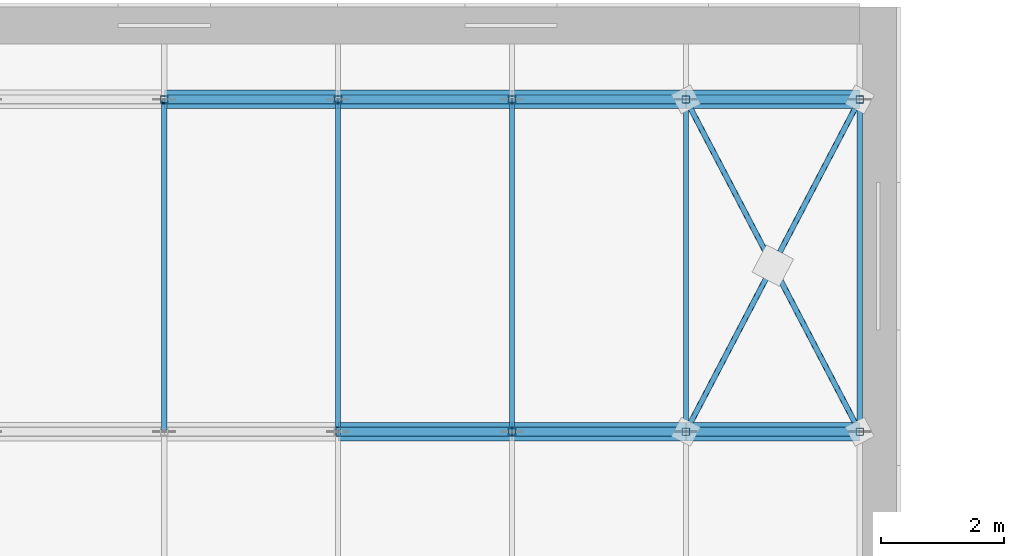
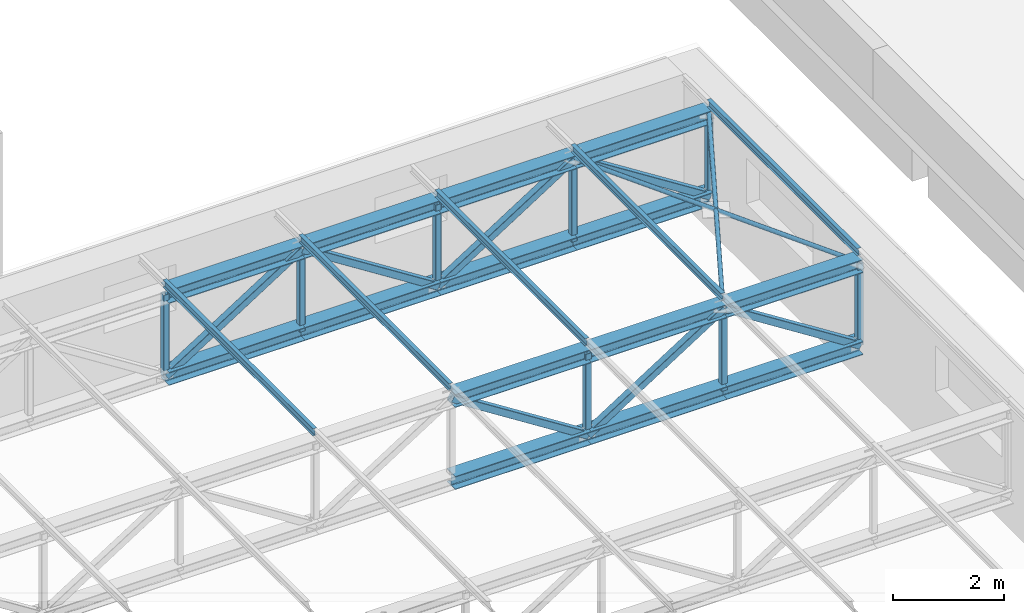
# One storey, part 43 of 132: 37 members.
"""IFC4 building model written with IfcOpenShell, lengths in metres."""

from ifc_helpers import new_model, si_unit, direction, frame, origin, origin_2d, place, context, subcontext, project, spatial, hollow_rectangle, hollow_circle, i_section, extrude, material, material_profile, profile_set, type_object, element, save


model = new_model("IFC4")

# Units and contexts
model_context = context("Model", 3, precision=1e-05, world=origin(), true_north=direction((0.0, 1.0)))
body_context = subcontext(model_context, "Body", "Model", "MODEL_VIEW")
ifc_project = project(units=[si_unit("LENGTHUNIT", "METRE"), si_unit("AREAUNIT", "SQUARE_METRE"), si_unit("VOLUMEUNIT", "CUBIC_METRE"), si_unit("PLANEANGLEUNIT", "RADIAN"), si_unit("MASSUNIT", "GRAM", prefix="KILO")], contexts=[model_context])

# Site, building, storey
site_placement = place(None, origin())
site = spatial("IfcSite", under=ifc_project, at=site_placement, CompositionType="ELEMENT")
building_placement = place(site_placement, origin())
building = spatial("IfcBuilding", under=site, at=building_placement, Name="Lunette Opera House", CompositionType="ELEMENT")
storey_placement = place(building_placement, frame((0.0, 0.0, 17.0)))
storey = spatial("IfcBuildingStorey", under=building, at=storey_placement, Name="L03", CompositionType="ELEMENT", Elevation=17.0)

# Members
ifc_material_1 = material(Name="Steel S355", Category="steel")
ifc_material_profile_1 = material_profile(ifc_material_1, hollow_circle(Radius=0.04443359375, WallThickness=0.00390625, at=origin_2d()), Name="CHS 88.9X4")
ifc_profile_set_1 = profile_set([ifc_material_profile_1], Name="Steel S355")
member_type_1 = type_object("IfcMemberType", Name="BRACING CHS 88.9X4", PredefinedType="BRACE", material=ifc_profile_set_1)
member_1_placement = place(storey_placement, frame((128.574951171875, 113.39990234375, 2.574951171875), z_axis=(0.463530915667, 0.886080747009, 0.0), x_axis=(-0.886080747009, 0.463530915667, 0.0)))
element("IfcMember", 1, at=member_1_placement, inside=storey, type_object=member_type_1, Name="mem-ST-L03-SE-TR-BRQ4P8A", PredefinedType="BRACE", context=body_context, shape_type="SweptSolid", body=[
    extrude(hollow_circle(Radius=0.04443359375, WallThickness=0.00390625, at=origin_2d()), origin(), (0.0, 0.0, 1.0), 6.094482421875),
])
member_2_placement = place(storey_placement, frame((131.39990234375, 113.39990234375, 2.574951171875), z_axis=(-0.463357181016, 0.886171610243, 0.0), x_axis=(-0.886171610243, -0.463357181016, 0.0)))
element("IfcMember", 2, at=member_2_placement, inside=storey, type_object=member_type_1, Name="mem-ST-L03-SE-TR-BRQ4P8B segment 1", PredefinedType="BRACE", context=body_context, shape_type="SweptSolid", body=[
    extrude(hollow_circle(Radius=0.04443359375, WallThickness=0.00390625, at=origin_2d()), origin(), (0.0, 0.0, 1.0), 3.047119140625),
])
member_3_placement = place(storey_placement, frame((129.988037109375, 116.10009765625, 2.574951171875), z_axis=(-0.463704612578, 0.885989860142, 0.0), x_axis=(-0.885989860142, -0.463704612578, 0.0)))
element("IfcMember", 3, at=member_3_placement, inside=storey, type_object=member_type_1, Name="mem-ST-L03-SE-TR-BRQ4P8B segment 2", PredefinedType="BRACE", context=body_context, shape_type="SweptSolid", body=[
    extrude(hollow_circle(Radius=0.04443359375, WallThickness=0.00390625, at=origin_2d()), origin(), (0.0, 0.0, 1.0), 3.04736328125),
])
ifc_material_2 = material(Name="Steel S355", Category="steel")
ifc_material_profile_2 = material_profile(ifc_material_2, i_section(OverallWidth=0.300048828125, OverallDepth=0.2900390625, WebThickness=0.008544921875, FlangeThickness=0.013916015625, FilletRadius=0.027099609375, at=origin_2d()), Name="HEA 300")
ifc_profile_set_2 = profile_set([ifc_material_profile_2], Name="Steel S355")
member_type_2 = type_object("IfcMemberType", Name="CHORD HEA 300", PredefinedType="CHORD", material=ifc_profile_set_2)
for number, where, z_axis, x_axis, name in (
    (4, (122.925048828125, 113.39990234375, 2.574951171875), (1.0, 0.0, 0.0), (0.0, 1.0, 0.0), "mem-ST-L03-SE-TR04-TC6"),
    (5, (122.925048828125, 113.39990234375, 0.77490234375), (1.0, 0.0, 0.0), (0.0, 1.0, 0.0), "mem-ST-L03-SE-TR04-BC6"),
    (6, (125.75, 113.39990234375, 2.574951171875), (1.0, 0.0, 0.0), (0.0, 1.0, 0.0), "mem-ST-L03-SE-TR04-TC7"),
    (7, (125.75, 113.39990234375, 0.77490234375), (1.0, 0.0, 0.0), (0.0, 1.0, 0.0), "mem-ST-L03-SE-TR04-BC7"),
    (8, (128.574951171875, 113.39990234375, 2.574951171875), (1.0, 0.0, 0.0), (0.0, 1.0, 0.0), "mem-ST-L03-SE-TR04-TC8"),
    (9, (128.574951171875, 113.39990234375, 0.77490234375), (1.0, 0.0, 0.0), (0.0, 1.0, 0.0), "mem-ST-L03-SE-TR04-BC8"),
    (10, (120.10009765625, 118.800048828125, 2.574951171875), (1.0, 0.0, 0.0), (0.0, 1.0, 0.0), "mem-ST-L03-SE-TR05-TC5"),
    (11, (120.10009765625, 118.800048828125, 0.77490234375), (1.0, 0.0, 0.0), (0.0, 1.0, 0.0), "mem-ST-L03-SE-TR05-BC5"),
    (12, (122.925048828125, 118.800048828125, 2.574951171875), (1.0, 0.0, 0.0), (0.0, 1.0, 0.0), "mem-ST-L03-SE-TR05-TC6"),
    (13, (122.925048828125, 118.800048828125, 0.77490234375), (1.0, 0.0, 0.0), (0.0, 1.0, 0.0), "mem-ST-L03-SE-TR05-BC6"),
    (14, (125.75, 118.800048828125, 2.574951171875), (1.0, 0.0, 0.0), (0.0, 1.0, 0.0), "mem-ST-L03-SE-TR05-TC7"),
    (15, (125.75, 118.800048828125, 0.77490234375), (1.0, 0.0, 0.0), (0.0, 1.0, 0.0), "mem-ST-L03-SE-TR05-BC7"),
    (16, (128.574951171875, 118.800048828125, 2.574951171875), (1.0, 0.0, 0.0), (0.0, 1.0, 0.0), "mem-ST-L03-SE-TR05-TC8"),
    (17, (128.574951171875, 118.800048828125, 0.77490234375), (1.0, 0.0, 0.0), (0.0, 1.0, 0.0), "mem-ST-L03-SE-TR05-BC8"),
):
    element("IfcMember", number, at=place(storey_placement, frame(where, z_axis=z_axis, x_axis=x_axis)), inside=storey, type_object=member_type_2, Name=name, PredefinedType="CHORD", context=body_context, shape_type="SweptSolid", body=[
        extrude(i_section(OverallWidth=0.300048828125, OverallDepth=0.2900390625, WebThickness=0.008544921875, FlangeThickness=0.013916015625, FilletRadius=0.027099609375, at=origin_2d()), origin(), (0.0, 0.0, 1.0), 2.824951171875),
    ])
ifc_material_3 = material(Name="Steel S355", Category="steel")
ifc_material_profile_3 = material_profile(ifc_material_3, hollow_rectangle(XDim=0.14990234375, YDim=0.14990234375, WallThickness=0.006103515625, InnerFilletRadius=0.006103515625, OuterFilletRadius=0.011962890625, at=origin_2d()), Name="RHS 150X150X6")
ifc_profile_set_3 = profile_set([ifc_material_profile_3], Name="Steel S355")
member_type_3 = type_object("IfcMemberType", Name="DIAGONAL RHS 150X150X6", PredefinedType="BRACE", material=ifc_profile_set_3)
for number, where, z_axis, x_axis, name in (
    (18, (122.925048828125, 113.39990234375, 2.574951171875), (0.843343221477, 0.0, -0.537375297896), (0.0, 1.0, 0.0), "mem-ST-L03-SE-TR04-TD6"),
    (19, (125.75, 113.39990234375, 0.77490234375), (0.843343221477, 0.0, 0.537375297896), (0.0, 1.0, 0.0), "mem-ST-L03-SE-TR04-TD7"),
    (20, (128.574951171875, 113.39990234375, 2.574951171875), (0.843343221477, 0.0, -0.537375297896), (0.0, 1.0, 0.0), "mem-ST-L03-SE-TR04-TD8"),
    (21, (120.10009765625, 118.800048828125, 0.77490234375), (0.843343221477, 0.0, 0.537375297896), (0.0, 1.0, 0.0), "mem-ST-L03-SE-TR05-TD5"),
    (22, (122.925048828125, 118.800048828125, 2.574951171875), (0.843343221477, 0.0, -0.537375297896), (0.0, 1.0, 0.0), "mem-ST-L03-SE-TR05-TD6"),
    (23, (125.75, 118.800048828125, 0.77490234375), (0.843343221477, 0.0, 0.537375297896), (0.0, 1.0, 0.0), "mem-ST-L03-SE-TR05-TD7"),
    (24, (128.574951171875, 118.800048828125, 2.574951171875), (0.843343221477, 0.0, -0.537375297896), (0.0, 1.0, 0.0), "mem-ST-L03-SE-TR05-TD8"),
):
    element("IfcMember", number, at=place(storey_placement, frame(where, z_axis=z_axis, x_axis=x_axis)), inside=storey, type_object=member_type_3, Name=name, PredefinedType="BRACE", context=body_context, shape_type="SweptSolid", body=[
        extrude(hollow_rectangle(XDim=0.14990234375, YDim=0.14990234375, WallThickness=0.006103515625, InnerFilletRadius=0.006103515625, OuterFilletRadius=0.011962890625, at=origin_2d()), origin(), (0.0, 0.0, 1.0), 3.349609375),
    ])
ifc_material_4 = material(Name="Steel S355", Category="steel")
ifc_material_profile_4 = material_profile(ifc_material_4, i_section(OverallWidth=0.08203125, OverallDepth=0.159912109375, WebThickness=0.0048828125, FlangeThickness=0.00732421875, FilletRadius=0.009033203125, at=origin_2d()), Name="IPE 160")
ifc_profile_set_4 = profile_set([ifc_material_profile_4], Name="Steel S355")
member_type_4 = type_object("IfcMemberType", Name="PURLIN IPE 160", PredefinedType="PURLIN", material=ifc_profile_set_4)
for number, where, z_axis, x_axis, name in (
    (25, (120.10009765625, 113.39990234375, 2.800048828125), (0.0, 1.0, 0.0), (-1.0, 0.0, 0.0), "mem-ST-L03-SE-TR-PU5-5"),
    (26, (122.925048828125, 113.39990234375, 2.800048828125), (0.0, 1.0, 0.0), (-1.0, 0.0, 0.0), "mem-ST-L03-SE-TR-PU6-5"),
    (27, (125.75, 113.39990234375, 2.800048828125), (0.0, 1.0, 0.0), (-1.0, 0.0, 0.0), "mem-ST-L03-SE-TR-PU7-5"),
    (28, (128.574951171875, 113.39990234375, 2.800048828125), (0.0, 1.0, 0.0), (-1.0, 0.0, 0.0), "mem-ST-L03-SE-TR-PU8-5"),
    (29, (131.39990234375, 113.39990234375, 2.800048828125), (0.0, 1.0, 0.0), (-1.0, 0.0, 0.0), "mem-ST-L03-SE-TR-PU9-5"),
):
    element("IfcMember", number, at=place(storey_placement, frame(where, z_axis=z_axis, x_axis=x_axis)), inside=storey, type_object=member_type_4, Name=name, PredefinedType="PURLIN", context=body_context, shape_type="SweptSolid", body=[
        extrude(i_section(OverallWidth=0.08203125, OverallDepth=0.159912109375, WebThickness=0.0048828125, FlangeThickness=0.00732421875, FilletRadius=0.009033203125, at=origin_2d()), origin(), (0.0, 0.0, 1.0), 5.400146484375),
    ])
ifc_material_5 = material(Name="Steel S355", Category="steel")
ifc_material_profile_5 = material_profile(ifc_material_5, hollow_rectangle(XDim=0.1201171875, YDim=0.1201171875, WallThickness=0.0048828125, InnerFilletRadius=0.0048828125, OuterFilletRadius=0.010009765625, at=origin_2d()), Name="RHS 120X120X5")
ifc_profile_set_5 = profile_set([ifc_material_profile_5], Name="Steel S355")
member_type_5 = type_object("IfcMemberType", Name="VERTICAL RHS 120X120X5", PredefinedType="POST", material=ifc_profile_set_5)
for number, where, z_axis, x_axis, name in (
    (30, (125.75, 113.39990234375, 0.77490234375), (0.0, 0.0, 1.0), (1.0, 0.0, 0.0), "mem-ST-L03-SE-TR04-TV7"),
    (31, (128.574951171875, 113.39990234375, 0.77490234375), (0.0, 0.0, 1.0), (1.0, 0.0, 0.0), "mem-ST-L03-SE-TR04-TV8"),
    (32, (131.39990234375, 113.39990234375, 0.77490234375), (0.0, 0.0, 1.0), (1.0, 0.0, 0.0), "mem-ST-L03-SE-TR04-TV9"),
    (33, (120.10009765625, 118.800048828125, 0.77490234375), (0.0, 0.0, 1.0), (1.0, 0.0, 0.0), "mem-ST-L03-SE-TR05-TV5"),
    (34, (122.925048828125, 118.800048828125, 0.77490234375), (0.0, 0.0, 1.0), (1.0, 0.0, 0.0), "mem-ST-L03-SE-TR05-TV6"),
    (35, (125.75, 118.800048828125, 0.77490234375), (0.0, 0.0, 1.0), (1.0, 0.0, 0.0), "mem-ST-L03-SE-TR05-TV7"),
    (36, (128.574951171875, 118.800048828125, 0.77490234375), (0.0, 0.0, 1.0), (1.0, 0.0, 0.0), "mem-ST-L03-SE-TR05-TV8"),
    (37, (131.39990234375, 118.800048828125, 0.77490234375), (0.0, 0.0, 1.0), (1.0, 0.0, 0.0), "mem-ST-L03-SE-TR05-TV9"),
):
    element("IfcMember", number, at=place(storey_placement, frame(where, z_axis=z_axis, x_axis=x_axis)), inside=storey, type_object=member_type_5, Name=name, PredefinedType="POST", context=body_context, shape_type="SweptSolid", body=[
        extrude(hollow_rectangle(XDim=0.1201171875, YDim=0.1201171875, WallThickness=0.0048828125, InnerFilletRadius=0.0048828125, OuterFilletRadius=0.010009765625, at=origin_2d()), origin(), (0.0, 0.0, 1.0), 1.800048828125),
    ])

save(model, "model.ifc")
